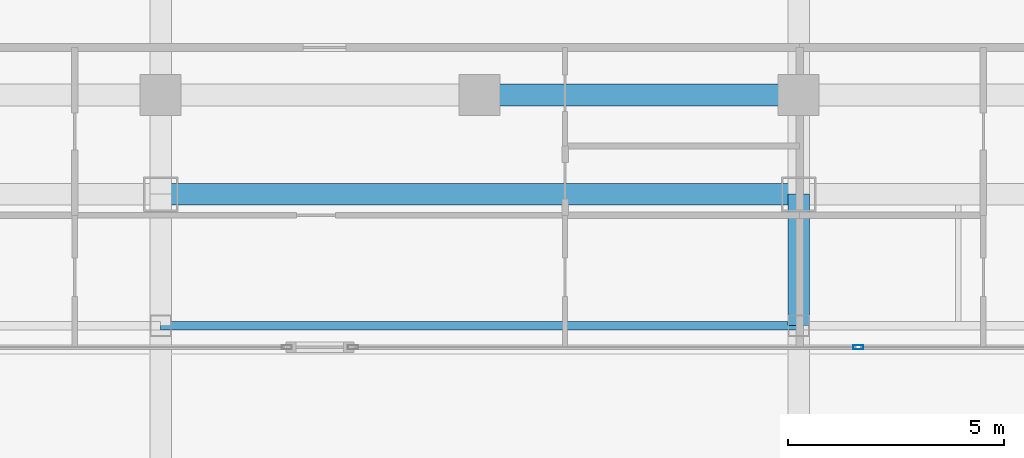
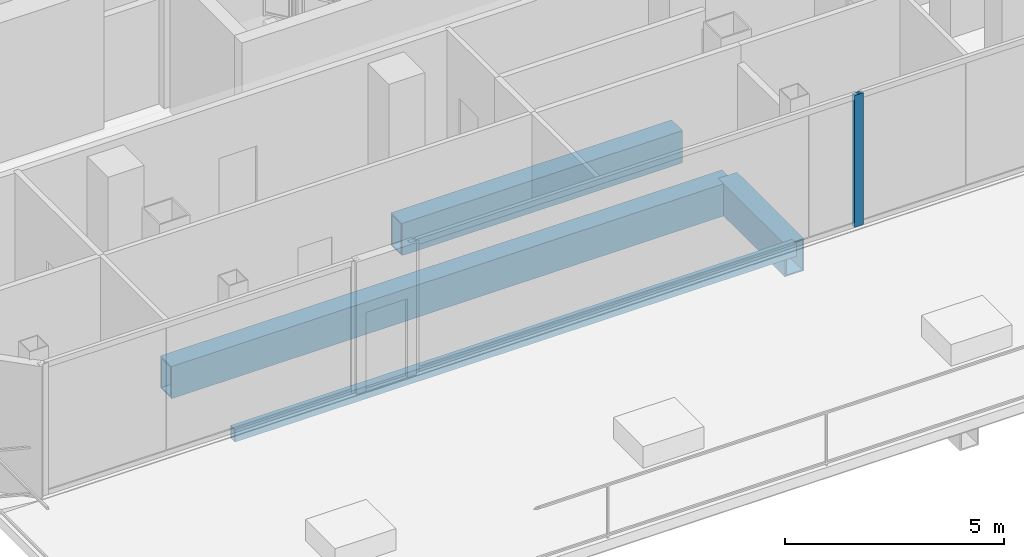
# One storey, part 4 of 25: 4 beams, 1 member, 1 element without a shape of its own.
"""IFC4 building model written with IfcOpenShell, lengths in metres."""

from ifc_helpers import new_model, si_unit, direction, frame, origin, origin_2d, place, context, subcontext, project, spatial, hollow_rectangle, extrude, material, layer, layer_set, material_profile, profile_set, type_object, element, aggregate, save


model = new_model("IFC4")

# Units and contexts
model_context = context("Model", 3, precision=1e-05, world=origin(), true_north=direction((0.0, 1.0)))
body_context = subcontext(model_context, "Body", "Model", "MODEL_VIEW")
ifc_project = project(units=[si_unit("LENGTHUNIT", "METRE"), si_unit("AREAUNIT", "SQUARE_METRE"), si_unit("VOLUMEUNIT", "CUBIC_METRE"), si_unit("PLANEANGLEUNIT", "RADIAN"), si_unit("MASSUNIT", "GRAM", prefix="KILO")], contexts=[model_context])

# Site, building, storey
site_placement = place(None, origin())
site = spatial("IfcSite", under=ifc_project, at=site_placement, CompositionType="ELEMENT")
building_placement = place(site_placement, origin())
building = spatial("IfcBuilding", under=site, at=building_placement, Name="Khorvyn Point Tower", CompositionType="ELEMENT")
storey_placement = place(building_placement, frame((0.0, 0.0, 254.699951171875)))
storey = spatial("IfcBuildingStorey", under=building, at=storey_placement, Name="L62", CompositionType="ELEMENT", Elevation=254.699951171875)

# Curtain wall, member
ifc_material_1 = material(Name="Anodised aluminium 6063-T6 and laminated Low-E glass", Category="aluminium")
ifc_layer = layer(ifc_material_1, 0.18994140625)
ifc_layer_set = layer_set([ifc_layer], Name="Stick-Built High-Wind Curtain Wall CW-SYS-04")
curtain_wall_type = type_object("IfcCurtainWallType", Name="Stick-Built High-Wind Curtain Wall CW-SYS-04", PredefinedType="NOTDEFINED", material=ifc_layer_set)
curtain_wall_placement = place(storey_placement, origin())
curtain_wall = element("IfcCurtainWall", 1, at=curtain_wall_placement, inside=storey, type_object=curtain_wall_type, Name="Curtain Wall", PredefinedType="NOTDEFINED")
ifc_material_2 = material(Name="Anodised aluminium 6063-T6", Category="aluminium")
ifc_material_profile_1 = material_profile(ifc_material_2, hollow_rectangle(XDim=0.10009765625, YDim=0.239990234375, WallThickness=0.0048828125, at=origin_2d()))
ifc_profile_set_1 = profile_set([ifc_material_profile_1], Name="Anodised aluminium 6063-T6 ALU-MUL-100x240")
member_type = type_object("IfcMemberType", Name="Anodised Aluminium 6063-T6 Mullion ALU-MUL-100x240", PredefinedType="MULLION", material=ifc_profile_set_1)
member_placement = place(storey_placement, frame((8.782958984375, -20.64990234375, 0.0), z_axis=(0.0, 0.0, 1.0), x_axis=(0.0, -1.0, 0.0)))
member = element("IfcMember", 2, at=member_placement, type_object=member_type, Name="Transom", PredefinedType="MULLION", context=body_context, shape_type="SweptSolid", body=[
    extrude(hollow_rectangle(XDim=0.10009765625, YDim=0.239990234375, WallThickness=0.0048828125, at=origin_2d()), origin(), (0.0, 0.0, 1.0), 3.679931640625),
])
aggregate(curtain_wall, [member])

# Beams
ifc_material_3 = material(Name="Steel S355", Category="steel")
ifc_material_profile_2 = material_profile(ifc_material_3, hollow_rectangle(XDim=0.199951171875, YDim=0.35009765625, WallThickness=0.013916015625, at=origin_2d()))
ifc_profile_set_2 = profile_set([ifc_material_profile_2], Name="Steel S355 RHS350x200x14")
beam_type_1 = type_object("IfcBeamType", Name="Steel S355 Spandrel RHS350x200x14", PredefinedType="SPANDREL", material=ifc_profile_set_2)
beam_1_placement = place(storey_placement, frame((-7.39990234375, -20.14990234375, -0.454833984375), z_axis=(1.0, 0.0, 0.0), x_axis=(0.0, 1.0, 0.0)))
element("IfcBeam", 3, at=beam_1_placement, inside=storey, type_object=beam_type_1, Name="Beam", PredefinedType="SPANDREL", context=body_context, shape_type="SweptSolid", body=[
    extrude(hollow_rectangle(XDim=0.199951171875, YDim=0.35009765625, WallThickness=0.013916015625, at=origin_2d()), origin(), (0.0, 0.0, 1.0), 14.7998046875),
])
ifc_material_4 = material(Name="Steel S450", Category="steel")
ifc_material_profile_3 = material_profile(ifc_material_4, hollow_rectangle(XDim=0.5, YDim=0.89990234375, WallThickness=0.0400390625, at=origin_2d()))
ifc_profile_set_3 = profile_set([ifc_material_profile_3], Name="Steel S450 BOX900x500x40")
beam_type_2 = type_object("IfcBeamType", Name="Steel S450 Beam BOX900x500x40", PredefinedType="BEAM", material=ifc_profile_set_3)
beam_2_placement = place(storey_placement, frame((0.0, -14.800048828125, -0.72998046875), z_axis=(1.0, 0.0, 0.0), x_axis=(0.0, 1.0, 0.0)))
element("IfcBeam", 4, at=beam_2_placement, inside=storey, type_object=beam_type_2, Name="L62 Radial Transfer Girder", PredefinedType="BEAM", context=body_context, shape_type="SweptSolid", body=[
    extrude(hollow_rectangle(XDim=0.5, YDim=0.89990234375, WallThickness=0.0400390625, at=origin_2d()), origin(), (0.0, 0.0, 1.0), 7.39990234375),
])
beam_3_placement = place(storey_placement, frame((-7.39990234375, -17.10009765625, -0.72998046875), z_axis=(1.0, 0.0, 0.0), x_axis=(0.0, 1.0, 0.0)))
element("IfcBeam", 5, at=beam_3_placement, inside=storey, type_object=beam_type_2, Name="Beam", PredefinedType="BEAM", context=body_context, shape_type="SweptSolid", body=[
    extrude(hollow_rectangle(XDim=0.5, YDim=0.89990234375, WallThickness=0.0400390625, at=origin_2d()), origin(), (0.0, 0.0, 1.0), 14.7998046875),
])
beam_4_placement = place(storey_placement, frame((7.39990234375, -20.14990234375, -0.72998046875), z_axis=(0.0, 1.0, 0.0), x_axis=(-1.0, 0.0, 0.0)))
element("IfcBeam", 6, at=beam_4_placement, inside=storey, type_object=beam_type_2, Name="Beam", PredefinedType="BEAM", context=body_context, shape_type="SweptSolid", body=[
    extrude(hollow_rectangle(XDim=0.5, YDim=0.89990234375, WallThickness=0.0400390625, at=origin_2d()), origin(), (0.0, 0.0, 1.0), 3.0498046875),
])

save(model, "model.ifc")
